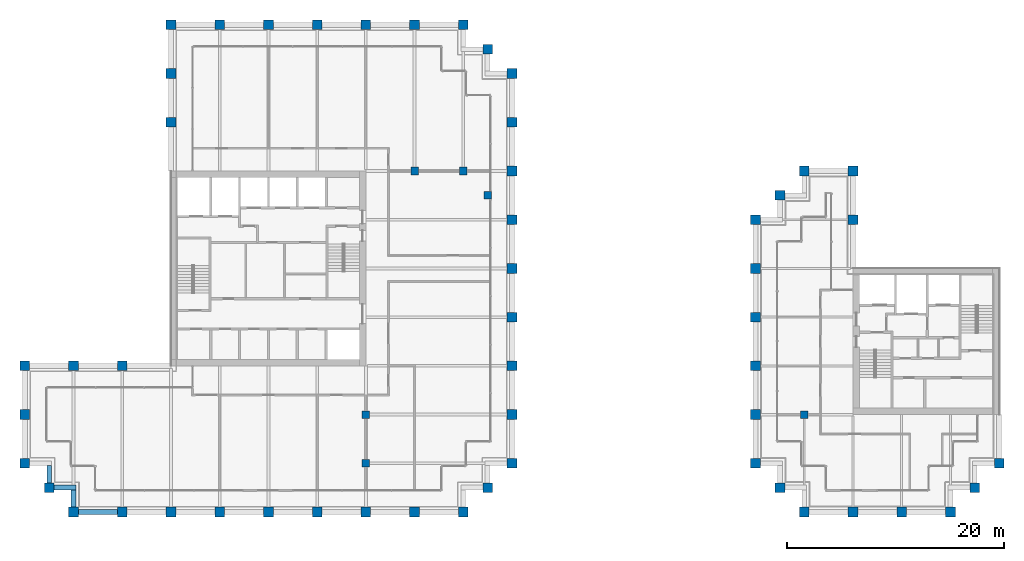
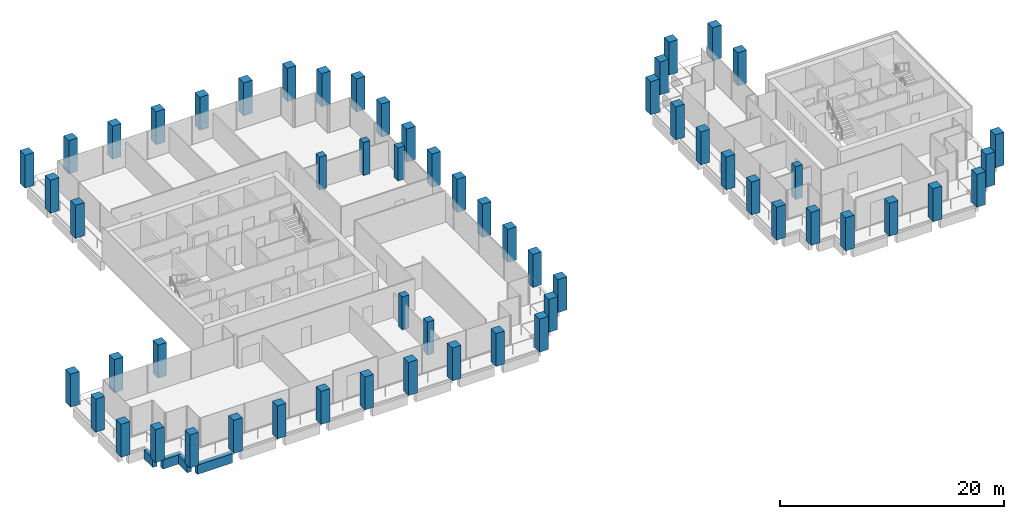
# One storey, part 1 of 40: 58 columns, 4 beams.
"""IFC4 building model written with IfcOpenShell, lengths in metres."""

from ifc_helpers import new_model, si_unit, direction, frame, origin, origin_2d, place, context, subcontext, project, spatial, rectangle, extrude, material, material_profile, profile_set, type_object, element, save


model = new_model("IFC4")

# Units and contexts
model_context = context("Model", 3, precision=1e-05, world=origin(), true_north=direction((0.0, 1.0)))
body_context = subcontext(model_context, "Body", "Model", "MODEL_VIEW")
ifc_project = project(units=[si_unit("LENGTHUNIT", "METRE"), si_unit("AREAUNIT", "SQUARE_METRE"), si_unit("VOLUMEUNIT", "CUBIC_METRE"), si_unit("PLANEANGLEUNIT", "RADIAN"), si_unit("MASSUNIT", "GRAM", prefix="KILO")], contexts=[model_context])

# Site, building, storey
site_placement = place(None, origin())
site = spatial("IfcSite", under=ifc_project, at=site_placement, CompositionType="ELEMENT")
building_placement = place(site_placement, origin())
building = spatial("IfcBuilding", under=site, at=building_placement, Name="Altepetl Exchange Towers", CompositionType="ELEMENT")
storey_placement = place(building_placement, frame((0.0, 0.0, 165.39990234375)))
storey = spatial("IfcBuildingStorey", under=building, at=storey_placement, Name="L41", CompositionType="ELEMENT", Elevation=165.39990234375)

# Columns
ifc_material_1 = material(Name="Concrete C70/85", Category="concrete")
ifc_material_profile_1 = material_profile(ifc_material_1, rectangle(XDim=0.699951171875, YDim=0.699951171875, at=origin_2d()), Name="700 x 700")
ifc_profile_set_1 = profile_set([ifc_material_profile_1], Name="Concrete C70/85")
column_type_1 = type_object("IfcColumnType", Name="Interior column 700", PredefinedType="COLUMN", material=ifc_profile_set_1)
for number, where, name in (
    (1, (58.5, 31.5, 0.0), "col:A:L41:035"),
    (2, (58.5, 36.0, 0.0), "col:A:L41:036"),
    (3, (63.0, 58.5, 0.0), "col:A:L41:037"),
    (4, (67.5, 58.5, 0.0), "col:A:L41:038"),
    (5, (69.75, 56.25, 0.0), "col:A:L41:039"),
    (6, (99.0, 36.0, 0.0), "col:B:L41:017"),
):
    element("IfcColumn", number, at=place(storey_placement, frame(where)), inside=storey, type_object=column_type_1, Name=name, PredefinedType="COLUMN", context=body_context, shape_type="SweptSolid", body=[
        extrude(rectangle(XDim=0.699951171875, YDim=0.699951171875, at=origin_2d()), origin(), (0.0, 0.0, 1.0), 3.60009765625),
    ])
ifc_material_2 = material(Name="Concrete C70/85 precast with cantera amarilla facing", Category="concrete")
ifc_material_profile_2 = material_profile(ifc_material_2, rectangle(XDim=0.89990234375, YDim=0.89990234375, at=origin_2d()), Name="900 x 900")
ifc_profile_set_2 = profile_set([ifc_material_profile_2], Name="Concrete C70/85 precast with cantera amarilla facing")
column_type_2 = type_object("IfcColumnType", Name="Perimeter column 900 cantera amarilla", PredefinedType="COLUMN", material=ifc_profile_set_2)
for number, where, name in (
    (7, (58.5, 27.0, 0.0), "col:A:L41:006"),
    (8, (63.0, 27.0, 0.0), "col:A:L41:007"),
    (9, (67.5, 27.0, 0.0), "col:A:L41:008"),
    (10, (69.75, 29.25, 0.0), "col:A:L41:009"),
    (11, (72.0, 31.5, 0.0), "col:A:L41:010"),
    (12, (72.0, 36.0, 0.0), "col:A:L41:011"),
    (13, (72.0, 40.5, 0.0), "col:A:L41:012"),
    (14, (72.0, 45.0, 0.0), "col:A:L41:013"),
    (15, (72.0, 49.5, 0.0), "col:A:L41:014"),
    (16, (72.0, 54.0, 0.0), "col:A:L41:015"),
):
    element("IfcColumn", number, at=place(storey_placement, frame(where)), inside=storey, type_object=column_type_2, Name=name, PredefinedType="COLUMN", context=body_context, shape_type="SweptSolid", body=[
        extrude(rectangle(XDim=0.89990234375, YDim=0.89990234375, at=origin_2d()), origin(), (0.0, 0.0, 1.0), 3.60009765625),
    ])
ifc_material_3 = material(Name="Concrete C70/85 precast with cantera blanca facing", Category="concrete")
ifc_material_profile_3 = material_profile(ifc_material_3, rectangle(XDim=0.89990234375, YDim=0.89990234375, at=origin_2d()), Name="900 x 900")
ifc_profile_set_3 = profile_set([ifc_material_profile_3], Name="Concrete C70/85 precast with cantera blanca facing")
column_type_3 = type_object("IfcColumnType", Name="Perimeter column 900 cantera blanca", PredefinedType="COLUMN", material=ifc_profile_set_3)
for number, where, name in (
    (17, (31.5, 27.0, 0.0), "col:A:L41:000"),
    (18, (36.0, 27.0, 0.0), "col:A:L41:001"),
    (19, (40.5, 27.0, 0.0), "col:A:L41:002"),
    (20, (45.0, 27.0, 0.0), "col:A:L41:003"),
    (21, (49.5, 27.0, 0.0), "col:A:L41:004"),
    (22, (54.0, 27.0, 0.0), "col:A:L41:005"),
    (23, (27.0, 36.0, 0.0), "col:A:L41:032"),
    (24, (27.0, 31.5, 0.0), "col:A:L41:033"),
    (25, (29.25, 29.25, 0.0), "col:A:L41:034"),
    (26, (117.0, 31.5, 0.0), "col:B:L41:005"),
):
    element("IfcColumn", number, at=place(storey_placement, frame(where)), inside=storey, type_object=column_type_3, Name=name, PredefinedType="COLUMN", context=body_context, shape_type="SweptSolid", body=[
        extrude(rectangle(XDim=0.89990234375, YDim=0.89990234375, at=origin_2d()), origin(), (0.0, 0.0, 1.0), 3.60009765625),
    ])
ifc_material_4 = material(Name="Concrete C70/85 precast with cantera rosa facing", Category="concrete")
ifc_material_profile_4 = material_profile(ifc_material_4, rectangle(XDim=0.89990234375, YDim=0.89990234375, at=origin_2d()), Name="900 x 900")
ifc_profile_set_4 = profile_set([ifc_material_profile_4], Name="Concrete C70/85 precast with cantera rosa facing")
column_type_4 = type_object("IfcColumnType", Name="Perimeter column 900 cantera rosa", PredefinedType="COLUMN", material=ifc_profile_set_4)
for number, where, name in (
    (27, (72.0, 58.5, 0.0), "col:A:L41:016"),
    (28, (72.0, 63.0, 0.0), "col:A:L41:017"),
    (29, (72.0, 67.5, 0.0), "col:A:L41:018"),
    (30, (69.75, 69.75, 0.0), "col:A:L41:019"),
    (31, (67.5, 72.0, 0.0), "col:A:L41:020"),
    (32, (63.0, 72.0, 0.0), "col:A:L41:021"),
    (33, (58.5, 72.0, 0.0), "col:A:L41:022"),
    (34, (54.0, 72.0, 0.0), "col:A:L41:023"),
    (35, (49.5, 72.0, 0.0), "col:A:L41:024"),
    (36, (45.0, 72.0, 0.0), "col:A:L41:025"),
    (37, (103.5, 54.0, 0.0), "col:B:L41:006"),
    (38, (103.5, 58.5, 0.0), "col:B:L41:007"),
    (39, (99.0, 58.5, 0.0), "col:B:L41:008"),
    (40, (96.75, 56.25, 0.0), "col:B:L41:009"),
    (41, (94.5, 54.0, 0.0), "col:B:L41:010"),
    (42, (94.5, 49.5, 0.0), "col:B:L41:011"),
    (43, (94.5, 45.0, 0.0), "col:B:L41:012"),
    (44, (94.5, 40.5, 0.0), "col:B:L41:013"),
    (45, (94.5, 36.0, 0.0), "col:B:L41:014"),
):
    element("IfcColumn", number, at=place(storey_placement, frame(where)), inside=storey, type_object=column_type_4, Name=name, PredefinedType="COLUMN", context=body_context, shape_type="SweptSolid", body=[
        extrude(rectangle(XDim=0.89990234375, YDim=0.89990234375, at=origin_2d()), origin(), (0.0, 0.0, 1.0), 3.60009765625),
    ])
ifc_material_5 = material(Name="Concrete C70/85 precast with tezontle facing", Category="concrete")
ifc_material_profile_5 = material_profile(ifc_material_5, rectangle(XDim=0.89990234375, YDim=0.89990234375, at=origin_2d()), Name="900 x 900")
ifc_profile_set_5 = profile_set([ifc_material_profile_5], Name="Concrete C70/85 precast with tezontle facing")
column_type_5 = type_object("IfcColumnType", Name="Perimeter column 900 tezontle", PredefinedType="COLUMN", material=ifc_profile_set_5)
for number, where, name in (
    (46, (40.5, 72.0, 0.0), "col:A:L41:026"),
    (47, (40.5, 67.5, 0.0), "col:A:L41:027"),
    (48, (40.5, 63.0, 0.0), "col:A:L41:028"),
    (49, (36.0, 40.5, 0.0), "col:A:L41:029"),
    (50, (31.5, 40.5, 0.0), "col:A:L41:030"),
    (51, (27.0, 40.5, 0.0), "col:A:L41:031"),
    (52, (99.0, 27.0, 0.0), "col:B:L41:000"),
    (53, (103.5, 27.0, 0.0), "col:B:L41:001"),
    (54, (108.0, 27.0, 0.0), "col:B:L41:002"),
    (55, (112.5, 27.0, 0.0), "col:B:L41:003"),
    (56, (114.75, 29.25, 0.0), "col:B:L41:004"),
    (57, (94.5, 31.5, 0.0), "col:B:L41:015"),
    (58, (96.75, 29.25, 0.0), "col:B:L41:016"),
):
    element("IfcColumn", number, at=place(storey_placement, frame(where)), inside=storey, type_object=column_type_5, Name=name, PredefinedType="COLUMN", context=body_context, shape_type="SweptSolid", body=[
        extrude(rectangle(XDim=0.89990234375, YDim=0.89990234375, at=origin_2d()), origin(), (0.0, 0.0, 1.0), 3.60009765625),
    ])

# Beams
ifc_material_6 = material(Name="Concrete C50/60 precast with cantera blanca facing", Category="concrete")
ifc_material_profile_6 = material_profile(ifc_material_6, rectangle(XDim=0.449951171875, YDim=1.0, at=origin_2d()), Name="450 x 1000")
ifc_profile_set_6 = profile_set([ifc_material_profile_6], Name="Concrete C50/60 precast with cantera blanca facing")
beam_type = type_object("IfcBeamType", Name="Spandrel beam 450x1000 cantera blanca", PredefinedType="SPANDREL", material=ifc_profile_set_6)
beam_1_placement = place(storey_placement, frame((31.949951171875, 27.0, -0.64990234375), z_axis=(1.0, 0.0, 0.0), x_axis=(0.0, 1.0, 0.0)))
element("IfcBeam", 59, at=beam_1_placement, inside=storey, type_object=beam_type, Name="sp:A:L41:000", PredefinedType="SPANDREL", context=body_context, shape_type="SweptSolid", body=[
    extrude(rectangle(XDim=0.449951171875, YDim=1.0, at=origin_2d()), origin(), (0.0, 0.0, 1.0), 3.60009765625),
])
beam_2_placement = place(storey_placement, frame((29.25, 31.27490234375, -0.64990234375), z_axis=(0.0, -1.0, 0.0), x_axis=(1.0, 0.0, 0.0)))
element("IfcBeam", 60, at=beam_2_placement, inside=storey, type_object=beam_type, Name="sp:A:L41:039", PredefinedType="SPANDREL", context=body_context, shape_type="SweptSolid", body=[
    extrude(rectangle(XDim=0.449951171875, YDim=1.0, at=origin_2d()), origin(), (0.0, 0.0, 1.0), 1.574951171875),
])
beam_3_placement = place(storey_placement, frame((29.699951171875, 29.25, -0.64990234375), z_axis=(1.0, 0.0, 0.0), x_axis=(0.0, 1.0, 0.0)))
element("IfcBeam", 61, at=beam_3_placement, inside=storey, type_object=beam_type, Name="sp:A:L41:040", PredefinedType="SPANDREL", context=body_context, shape_type="SweptSolid", body=[
    extrude(rectangle(XDim=0.449951171875, YDim=1.0, at=origin_2d()), origin(), (0.0, 0.0, 1.0), 2.025146484375),
])
beam_4_placement = place(storey_placement, frame((31.5, 29.02490234375, -0.64990234375), z_axis=(0.0, -1.0, 0.0), x_axis=(1.0, 0.0, 0.0)))
element("IfcBeam", 62, at=beam_4_placement, inside=storey, type_object=beam_type, Name="sp:A:L41:041", PredefinedType="SPANDREL", context=body_context, shape_type="SweptSolid", body=[
    extrude(rectangle(XDim=0.449951171875, YDim=1.0, at=origin_2d()), origin(), (0.0, 0.0, 1.0), 1.574951171875),
])

save(model, "model.ifc")
